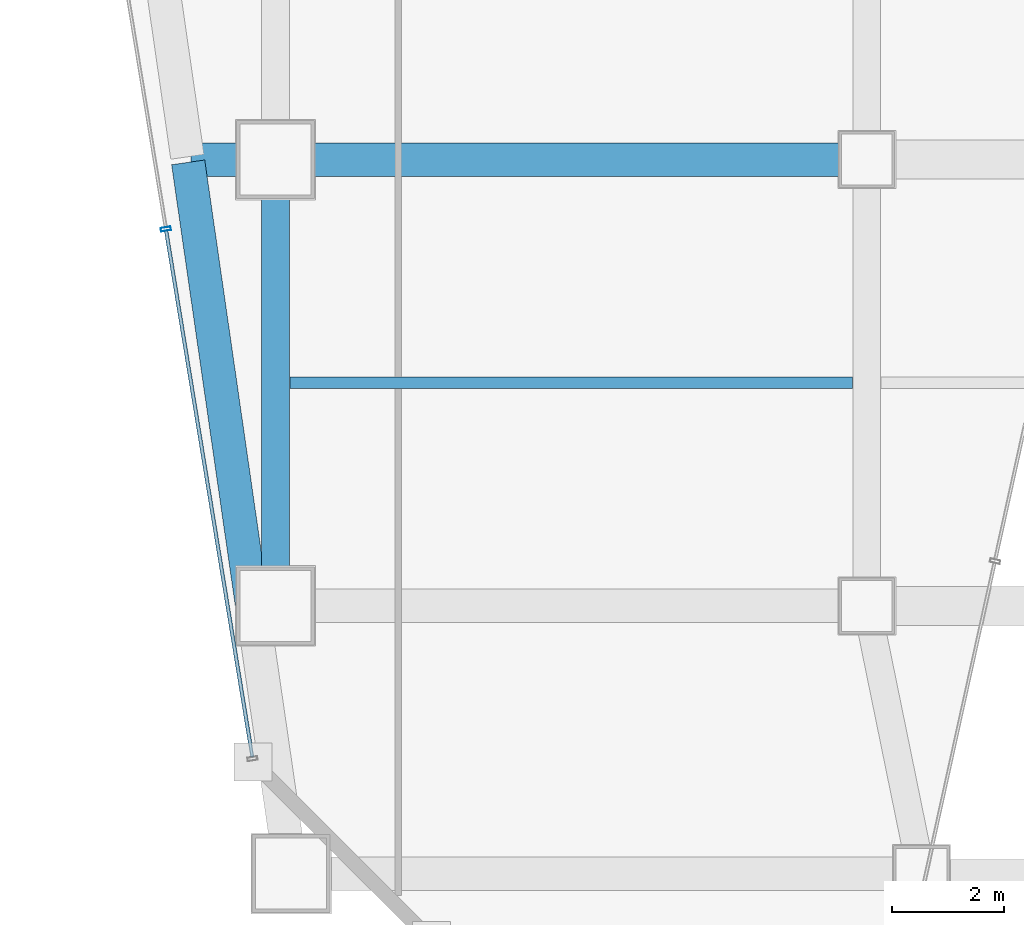
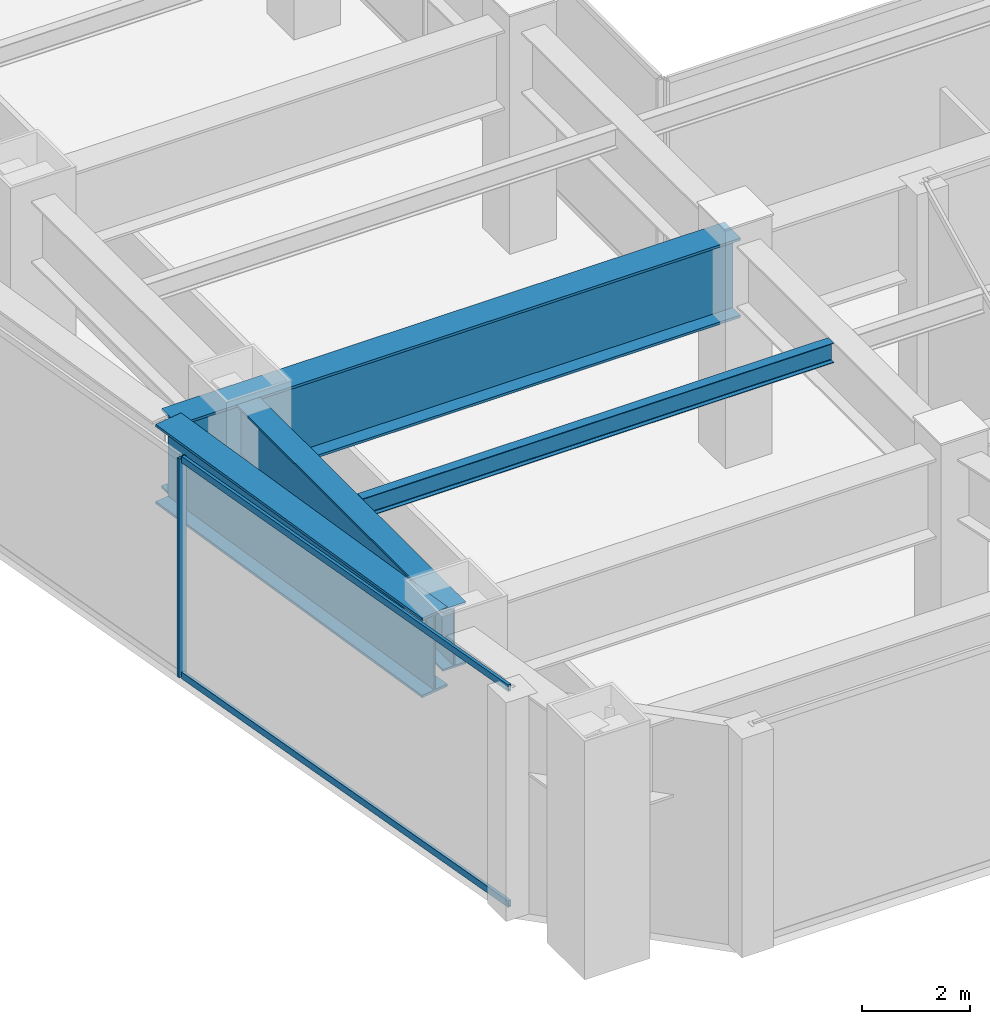
# One storey, part 5 of 42: 4 beams, 3 members, 1 element without a shape of its own.
"""IFC4 building model written with IfcOpenShell, lengths in metres."""

import ifcopenshell
import ifcopenshell.guid

model = None  # the IFC model being written
_history = None  # IfcOwnerHistory: only IFC2X3 demands one
_inside = {}  # id of a spatial element -> (the spatial element, [elements in it])
_under = {}  # id of a project, library or spatial element -> (it, [spatial elements below it])
_declared = {}  # id of a project -> (the project, [libraries it declares])
_typed = {}  # id of a type object -> (the type object, [elements of that type])
_made_of = {}  # id of a material, layer set ... -> (it, [elements and type objects made of it])


def new_model(schema):
    """Start an empty IFC model of exactly this schema.

    Asked for "IFC4X3", IfcOpenShell would pick the latest addendum, in which some entities
    have other attributes; the version numbers below select the first issue.
    IFC2X3 requires an IfcOwnerHistory on every rooted entity: one is made here for all.
    """
    global model, _history
    if schema == "IFC4X3":
        model = ifcopenshell.file(schema_version=(4, 3, 0, 0))
    else:
        model = ifcopenshell.file(schema=schema)
    _inside.clear()
    _under.clear()
    _declared.clear()
    _typed.clear()
    _made_of.clear()
    _history = None
    if model.schema == "IFC2X3":
        org = make("IfcOrganization", Name="unknown")
        user = make(
            "IfcPersonAndOrganization",
            ThePerson=make("IfcPerson", FamilyName="unknown"),
            TheOrganization=org,
        )
        app = make(
            "IfcApplication",
            ApplicationDeveloper=org,
            Version="unknown",
            ApplicationFullName="unknown",
            ApplicationIdentifier="unknown",
        )
        _history = make(
            "IfcOwnerHistory",
            OwningUser=user,
            OwningApplication=app,
            ChangeAction="ADDED",
            CreationDate=0,
        )
    return model


def make(cls, **values):
    """One entity of the class cls with the attributes given. An attribute that is None is left unset."""
    return model.create_entity(
        cls, **{name: value for name, value in values.items() if value is not None}
    )


def rooted(cls, **values):
    """An entity with a GlobalId (a new one), such as an element, a storey or a relation."""
    return make(cls, GlobalId=ifcopenshell.guid.new(), OwnerHistory=_history, **values)


def si_unit(unit_type, name, prefix=None):
    """IfcSIUnit, for example si_unit("LENGTHUNIT", "METRE", prefix="MILLI")."""
    return make("IfcSIUnit", UnitType=unit_type, Prefix=prefix, Name=name)


def assignment(units):
    """IfcUnitAssignment: the units of a project."""
    return None if units is None else make("IfcUnitAssignment", Units=units)


def point(xyz):
    """IfcCartesianPoint."""
    return None if xyz is None else make("IfcCartesianPoint", Coordinates=xyz)


def direction(xyz):
    """IfcDirection."""
    return None if xyz is None else make("IfcDirection", DirectionRatios=xyz)


def frame(location, z_axis=None, x_axis=None):
    """IfcAxis2Placement3D, a coordinate frame: its origin and axes. An axis left out is left unset."""
    return make(
        "IfcAxis2Placement3D",
        Location=point(location),
        Axis=direction(z_axis),
        RefDirection=direction(x_axis),
    )


def frame_2d(location, x_axis=None):
    """IfcAxis2Placement2D, a coordinate frame in the plane: its origin and x axis."""
    return make(
        "IfcAxis2Placement2D", Location=point(location), RefDirection=direction(x_axis)
    )


def origin():
    """The frame at (0, 0, 0) with its axes left unset."""
    return frame((0.0, 0.0, 0.0))


def origin_2d():
    """The frame at (0, 0) in the plane with its x axis left unset."""
    return frame_2d((0.0, 0.0))


def place(relative_to, where):
    """IfcLocalPlacement: puts the frame where relative to a parent placement (None: the world)."""
    return make(
        "IfcLocalPlacement", PlacementRelTo=relative_to, RelativePlacement=where
    )


def context(
    kind, dimensions, precision=None, world=None, true_north=None, identifier=None
):
    """IfcGeometricRepresentationContext, for example the 3D "Model" context."""
    return make(
        "IfcGeometricRepresentationContext",
        ContextIdentifier=identifier,
        ContextType=kind,
        CoordinateSpaceDimension=dimensions,
        Precision=precision,
        WorldCoordinateSystem=world,
        TrueNorth=true_north,
    )


def subcontext(parent, identifier, kind, view, scale=None):
    """IfcGeometricRepresentationSubContext, for example "Body" below "Model"."""
    return make(
        "IfcGeometricRepresentationSubContext",
        ContextIdentifier=identifier,
        ContextType=kind,
        ParentContext=parent,
        TargetScale=scale,
        TargetView=view,
    )


def project(units=None, contexts=None):
    """IfcProject with its units and contexts."""
    return rooted(
        "IfcProject",
        Name="project",
        RepresentationContexts=contexts,
        UnitsInContext=assignment(units),
    )


def spatial(cls, under=None, at=None, **own):
    """A site, building, storey or space (cls), placed at a placement, below another one or the project."""
    s = rooted(cls, ObjectPlacement=at, **own)
    if under is not None:
        _under.setdefault(under.id(), (under, []))[1].append(s)
    return s


def profile(cls, at=None, kind="AREA", **sizes):
    """A parametric profile (cls). Its sizes go by their IFC names, for example OverallWidth=200.0."""
    return make(cls, ProfileType=kind, Position=at, **sizes)


def hollow_rectangle(**sizes):
    """IfcRectangleHollowProfileDef."""
    return profile("IfcRectangleHollowProfileDef", **sizes)


def i_section(**sizes):
    """IfcIShapeProfileDef."""
    return profile("IfcIShapeProfileDef", **sizes)


def extrude(swept, where, along, depth):
    """IfcExtrudedAreaSolid: the profile swept, set in the frame where, extruded along a direction by depth."""
    return make(
        "IfcExtrudedAreaSolid",
        SweptArea=swept,
        Position=where,
        ExtrudedDirection=direction(along),
        Depth=depth,
    )


def shape(context_of_items, identifier, shape_type, items):
    """IfcShapeRepresentation: the items that make up one representation, for example the "Body"."""
    return make(
        "IfcShapeRepresentation",
        ContextOfItems=context_of_items,
        RepresentationIdentifier=identifier,
        RepresentationType=shape_type,
        Items=items,
    )


def material(Name=None, Category=None):
    """IfcMaterial."""
    return make("IfcMaterial", Name=Name, Category=Category)


def material_profile(
    of_material, cross_section, Name=None, Category=None, Priority=None
):
    """IfcMaterialProfile: a cross section and its material."""
    return make(
        "IfcMaterialProfile",
        Name=Name,
        Material=of_material,
        Profile=cross_section,
        Priority=Priority,
        Category=Category,
    )


def profile_set(profiles, Name=None, composite=None):
    """IfcMaterialProfileSet."""
    return make(
        "IfcMaterialProfileSet",
        Name=Name,
        MaterialProfiles=profiles,
        CompositeProfile=composite,
    )


def made_of(thing, what):
    """Note that an element or type object is made of a material, layer set ...; save() writes the relation."""
    if what is not None:
        _made_of.setdefault(what.id(), (what, []))[1].append(thing)
    return thing


def type_object(cls, material=None, **own):
    """A type object (cls), such as IfcWallType, which elements share."""
    return made_of(rooted(cls, **own), material)


def element(
    cls,
    number,
    at=None,
    inside=None,
    cuts=None,
    type_object=None,
    material=None,
    context=None,
    identifier="Body",
    shape_type=None,
    held_by="IfcProductDefinitionShape",
    body=None,
    shapes=None,
    **own,
):
    """One element of the class cls, such as IfcWall. Its Tag is "e" and its number.

    at: its placement. inside: the storey or other place that contains it. cuts: it is an
    opening in that element (IfcRelVoidsElement). A single representation is given by context,
    identifier, shape_type and body (its items); several are given by shapes. held_by: the class
    of the entity that holds the representations. save() writes the other relations.
    """
    e = rooted(cls, Tag="e%d" % number, ObjectPlacement=at, **own)
    if body is not None:
        shapes = [shape(context, identifier, shape_type, body)]
    if shapes is not None:
        e.Representation = make(held_by, Representations=shapes)
    if inside is not None:
        _inside.setdefault(inside.id(), (inside, []))[1].append(e)
    if cuts is not None:
        rooted(
            "IfcRelVoidsElement", RelatingBuildingElement=cuts, RelatedOpeningElement=e
        )
    if type_object is not None:
        _typed.setdefault(type_object.id(), (type_object, []))[1].append(e)
    return made_of(e, material)


def aggregate(whole, parts):
    """IfcRelAggregates: a whole, such as a stair, and the parts it consists of."""
    return rooted("IfcRelAggregates", RelatingObject=whole, RelatedObjects=parts)


def save(model, path):
    """Write the relations noted so far, then the file.

    IfcRelAggregates (storeys below a building ...), IfcRelContainedInSpatialStructure (elements
    in a storey), IfcRelDefinesByType, IfcRelAssociatesMaterial and IfcRelDeclares: one each for
    every whole, place, type object, material and project.
    """
    for whole, parts in _under.values():
        aggregate(whole, parts)
    for where, things in _inside.values():
        rooted(
            "IfcRelContainedInSpatialStructure",
            RelatedElements=things,
            RelatingStructure=where,
        )
    for kind, things in _typed.values():
        rooted("IfcRelDefinesByType", RelatedObjects=things, RelatingType=kind)
    for what, things in _made_of.values():
        rooted("IfcRelAssociatesMaterial", RelatedObjects=things, RelatingMaterial=what)
    for by, libraries in _declared.values():
        rooted("IfcRelDeclares", RelatingContext=by, RelatedDefinitions=libraries)
    model.write(path)


model = new_model("IFC4")

# Units and contexts
model_context = context("Model", 3, precision=1e-05, world=origin(), true_north=direction((0.0, 1.0)))
body_context = subcontext(model_context, "Body", "Model", "MODEL_VIEW")
ifc_project = project(units=[si_unit("LENGTHUNIT", "METRE"), si_unit("AREAUNIT", "SQUARE_METRE"), si_unit("VOLUMEUNIT", "CUBIC_METRE"), si_unit("PLANEANGLEUNIT", "RADIAN"), si_unit("MASSUNIT", "GRAM", prefix="KILO")], contexts=[model_context])

# Site, building, storey
site_placement = place(None, origin())
site = spatial("IfcSite", under=ifc_project, at=site_placement, CompositionType="ELEMENT")
building_placement = place(site_placement, origin())
building = spatial("IfcBuilding", under=site, at=building_placement, Name="Saevonmaru Cultural Tower", CompositionType="ELEMENT")
storey_placement = place(building_placement, frame((0.0, 0.0, 33.0)))
storey = spatial("IfcBuildingStorey", under=building, at=storey_placement, Name="L06", CompositionType="ELEMENT", Elevation=33.0)

# Beams
ifc_material_1 = material(Name="Steel SM355", Category="steel")
ifc_material_profile_1 = material_profile(ifc_material_1, i_section(OverallWidth=0.199951171875, OverallDepth=0.449951171875, WebThickness=0.009033203125, FlangeThickness=0.013916015625, FilletRadius=0.01806640625, at=origin_2d()), Name="H-450x200x9x14")
ifc_profile_set_1 = profile_set([ifc_material_profile_1], Name="Steel SM355")
beam_type_1 = type_object("IfcBeamType", Name="BM-J-H450", PredefinedType="JOIST", material=ifc_profile_set_1)
beam_1_placement = place(storey_placement, frame((12.4580078125, 12.0, 4.72509765625), z_axis=(1.0, 0.0, 0.0), x_axis=(0.0, 1.0, 0.0)))
element("IfcBeam", 1, at=beam_1_placement, inside=storey, type_object=beam_type_1, Name="L06 Secondary Floor Joist JW-1", PredefinedType="JOIST", context=body_context, shape_type="SweptSolid", body=[
    extrude(i_section(OverallWidth=0.199951171875, OverallDepth=0.449951171875, WebThickness=0.009033203125, FlangeThickness=0.013916015625, FilletRadius=0.01806640625, at=origin_2d()), origin(), (0.0, 0.0, 1.0), 10.083984375),
])
ifc_material_2 = material(Name="Steel HSA600 (600 MPa)", Category="steel")
ifc_material_profile_2 = material_profile(ifc_material_2, i_section(OverallWidth=0.5, OverallDepth=1.39990234375, WebThickness=0.02392578125, FlangeThickness=0.044921875, at=origin_2d()), Name="PG-1400x500x24x45")
ifc_profile_set_2 = profile_set([ifc_material_profile_2], Name="Steel HSA600 (600 MPa)")
beam_type_2 = type_object("IfcBeamType", Name="BM-TG-PG1400", PredefinedType="BEAM", material=ifc_profile_set_2)
beam_2_placement = place(storey_placement, frame((12.199951171875, 8.06005859375, 4.25), z_axis=(0.0, 1.0, 0.0), x_axis=(-1.0, 0.0, 0.0)))
element("IfcBeam", 2, at=beam_2_placement, inside=storey, type_object=beam_type_2, Name="L06 Podium Girder NS1-2", PredefinedType="BEAM", context=body_context, shape_type="SweptSolid", body=[
    extrude(i_section(OverallWidth=0.5, OverallDepth=1.39990234375, WebThickness=0.02392578125, FlangeThickness=0.044921875, at=origin_2d()), origin(), (0.0, 0.0, 1.0), 7.8798828125),
])
ifc_material_profile_3 = material_profile(ifc_material_2, i_section(OverallWidth=0.60009765625, OverallDepth=1.800048828125, WebThickness=0.028076171875, FlangeThickness=0.054931640625, at=origin_2d()), Name="PG-1800x600x28x55")
ifc_profile_set_3 = profile_set([ifc_material_profile_3], Name="Steel HSA600 (600 MPa)")
beam_type_3 = type_object("IfcBeamType", Name="BM-TG-PG1800", PredefinedType="BEAM", material=ifc_profile_set_3)
beam_3_placement = place(storey_placement, frame((10.68798828125, 16.0, 4.050048828125), z_axis=(1.0, 0.0, 0.0), x_axis=(0.0, 1.0, 0.0)))
element("IfcBeam", 3, at=beam_3_placement, inside=storey, type_object=beam_type_3, Name="L06 Transfer Plate Girder W-2", PredefinedType="BEAM", context=body_context, shape_type="SweptSolid", body=[
    extrude(i_section(OverallWidth=0.60009765625, OverallDepth=1.800048828125, WebThickness=0.028076171875, FlangeThickness=0.054931640625, at=origin_2d()), origin(), (0.0, 0.0, 1.0), 12.052001953125),
])
ifc_material_profile_4 = material_profile(ifc_material_2, i_section(OverallWidth=0.60009765625, OverallDepth=1.800048828125, WebThickness=0.028076171875, FlangeThickness=0.054931640625, at=origin_2d()), Name="PG-1800x600x28x55")
ifc_profile_set_4 = profile_set([ifc_material_profile_4], Name="Steel HSA600 (600 MPa)")
beam_type_4 = type_object("IfcBeamType", Name="BM-TG-PG1800-EXT", PredefinedType="SPANDREL", material=ifc_profile_set_4)
beam_4_placement = place(storey_placement, frame((11.77587890625, 8.049560546875, 4.050048828125), z_axis=(-0.142915492353, 0.989734894831, 0.0), x_axis=(-0.989734894831, -0.142915492353, 0.0)))
element("IfcBeam", 4, at=beam_4_placement, inside=storey, type_object=beam_type_4, Name="L06 Perimeter Transfer Spandrel W-2", PredefinedType="SPANDREL", context=body_context, shape_type="SweptSolid", body=[
    extrude(i_section(OverallWidth=0.60009765625, OverallDepth=1.800048828125, WebThickness=0.028076171875, FlangeThickness=0.054931640625, at=origin_2d()), origin(), (0.0, 0.0, 1.0), 7.98291015625),
])

# Curtain wall, members
ifc_material_3 = material(Name="Satin Bronze Anodised Aluminium", Category="aluminium")
curtain_wall_type = type_object("IfcCurtainWallType", Name="CW-SKY-GLZ", PredefinedType="NOTDEFINED", material=ifc_material_3)
curtain_wall_placement = place(storey_placement, origin())
curtain_wall = element("IfcCurtainWall", 5, at=curtain_wall_placement, inside=storey, type_object=curtain_wall_type, Name="L06 Unitised Curtain Wall E12", PredefinedType="NOTDEFINED")
ifc_material_profile_5 = material_profile(ifc_material_3, hollow_rectangle(XDim=0.06494140625, YDim=0.179931640625, WallThickness=0.00390625, at=origin_2d()), Name="ALU-MULL-180x65x4")
ifc_profile_set_5 = profile_set([ifc_material_profile_5], Name="Satin Bronze Anodised Aluminium")
member_type_1 = type_object("IfcMemberType", Name="ML-CW-180x65", PredefinedType="MULLION", material=ifc_profile_set_5)
member_1_placement = place(storey_placement, frame((10.234130859375, 14.755615234375, 0.0), z_axis=(0.0, 0.0, 1.0), x_axis=(0.161708868641, -0.986838508472, 0.0)))
member_1 = element("IfcMember", 6, at=member_1_placement, type_object=member_type_1, Name="CW-TW-L06-E12 mullion 5", PredefinedType="MULLION", context=body_context, shape_type="SweptSolid", body=[
    extrude(hollow_rectangle(XDim=0.06494140625, YDim=0.179931640625, WallThickness=0.00390625, at=origin_2d()), origin(), (0.0, 0.0, 1.0), 4.949951171875),
])
ifc_material_profile_6 = material_profile(ifc_material_3, hollow_rectangle(XDim=0.06494140625, YDim=0.14990234375, WallThickness=0.00390625, at=origin_2d()), Name="ALU-TRAN-150x65x4")
ifc_profile_set_6 = profile_set([ifc_material_profile_6], Name="Satin Bronze Anodised Aluminium")
member_type_2 = type_object("IfcMemberType", Name="TR-CW-150x65", PredefinedType="USERDEFINED", material=ifc_profile_set_6)
member_2_placement = place(storey_placement, frame((10.239501953125, 14.723388671875, 0.032470703125), z_axis=(0.161714267134, -0.986837623829, 0.0), x_axis=(0.986837623829, 0.161714267134, 0.0)))
member_2 = element("IfcMember", 7, at=member_2_placement, type_object=member_type_2, Name="CW-TW-L06-E12 transom 5.1", ObjectType="TRANSOM", PredefinedType="USERDEFINED", context=body_context, shape_type="SweptSolid", body=[
    extrude(hollow_rectangle(XDim=0.06494140625, YDim=0.14990234375, WallThickness=0.00390625, at=origin_2d()), origin(), (0.0, 0.0, 1.0), 9.557861328125),
])
member_3_placement = place(storey_placement, frame((10.239501953125, 14.723388671875, 4.91748046875), z_axis=(0.161714267134, -0.986837623829, 0.0), x_axis=(0.986837623829, 0.161714267134, 0.0)))
member_3 = element("IfcMember", 8, at=member_3_placement, type_object=member_type_2, Name="CW-TW-L06-E12 transom 5.2", ObjectType="TRANSOM", PredefinedType="USERDEFINED", context=body_context, shape_type="SweptSolid", body=[
    extrude(hollow_rectangle(XDim=0.06494140625, YDim=0.14990234375, WallThickness=0.00390625, at=origin_2d()), origin(), (0.0, 0.0, 1.0), 9.557861328125),
])
aggregate(curtain_wall, [member_1, member_2, member_3])

save(model, "model.ifc")
